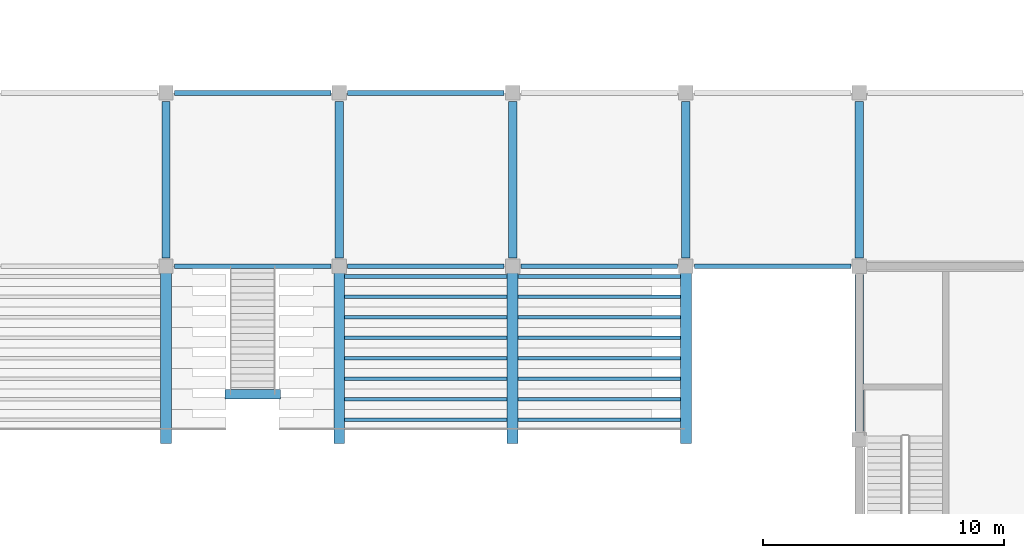
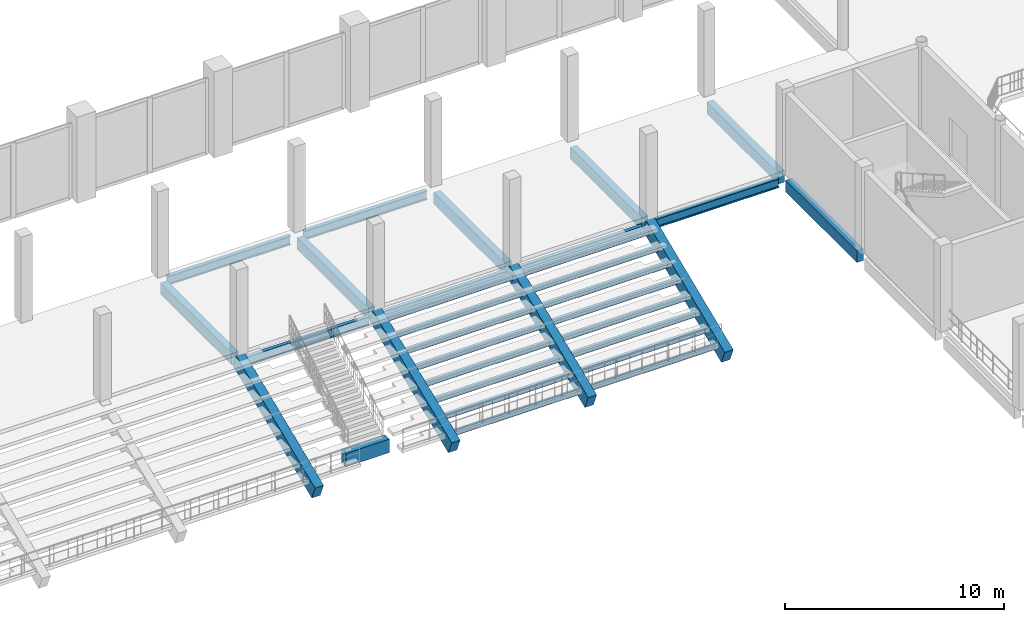
# One storey, part 33 of 99: 25 beams.
"""IFC4 building model written with IfcOpenShell, lengths in metres."""

from ifc_helpers import new_model, si_unit, direction, frame, origin, origin_2d, place, context, subcontext, project, spatial, rectangle, i_section, extrude, material, material_profile, profile_set, type_object, element, save


model = new_model("IFC4")

# Units and contexts
model_context = context("Model", 3, precision=1e-05, world=origin(), true_north=direction((0.0, 1.0)))
body_context = subcontext(model_context, "Body", "Model", "MODEL_VIEW")
ifc_project = project(units=[si_unit("LENGTHUNIT", "METRE"), si_unit("AREAUNIT", "SQUARE_METRE"), si_unit("VOLUMEUNIT", "CUBIC_METRE"), si_unit("PLANEANGLEUNIT", "RADIAN"), si_unit("MASSUNIT", "GRAM", prefix="KILO")], contexts=[model_context])

# Site, building, storey
site_placement = place(None, origin())
site = spatial("IfcSite", under=ifc_project, at=site_placement, CompositionType="ELEMENT")
building_placement = place(site_placement, origin())
building = spatial("IfcBuilding", under=site, at=building_placement, Name="Vesperath Aquatics Centre", CompositionType="ELEMENT")
storey_placement = place(building_placement, frame((0.0, 0.0, 5.39990234375)))
storey = spatial("IfcBuildingStorey", under=building, at=storey_placement, Name="L01", CompositionType="ELEMENT", Elevation=5.39990234375)

# Beams
ifc_material_1 = material(Name="Concrete C35", Category="concrete")
ifc_material_profile_1 = material_profile(ifc_material_1, rectangle(XDim=0.39990234375, YDim=0.75, at=origin_2d()), Name="RC 400x750")
ifc_profile_set_1 = profile_set([ifc_material_profile_1], Name="Concrete C35")
beam_type_1 = type_object("IfcBeamType", Name="BM-G04", PredefinedType="BEAM", material=ifc_profile_set_1)
beam_placement = place(storey_placement, frame((67.25, 66.679931640625, -3.574951171875), z_axis=(1.0, 0.0, 0.0), x_axis=(0.0, 1.0, 0.0)))
element("IfcBeam", 1, at=beam_placement, inside=storey, type_object=beam_type_1, Name="Vomitory VOM-06 Portal Bearer Beam B04", PredefinedType="BEAM", context=body_context, shape_type="SweptSolid", body=[
    extrude(rectangle(XDim=0.39990234375, YDim=0.75, at=origin_2d()), origin(), (0.0, 0.0, 1.0), 2.300048828125),
])
ifc_material_profile_2 = material_profile(ifc_material_1, rectangle(XDim=0.35009765625, YDim=0.64990234375, at=origin_2d()), Name="RC 350x650")
ifc_profile_set_2 = profile_set([ifc_material_profile_2], Name="Concrete C35")
beam_type_2 = type_object("IfcBeamType", Name="BM-G05", PredefinedType="BEAM", material=ifc_profile_set_2)
for number, where, z_axis, x_axis, name in (
    (2, (64.800048828125, 72.35009765625, -0.5849609375), (0.0, 1.0, 0.0), (-1.0, 0.0, 0.0), "Floor Girder B05 L01 10 L-M"),
    (3, (72.0, 72.35009765625, -0.5849609375), (0.0, 1.0, 0.0), (-1.0, 0.0, 0.0), "Floor Girder B05 L01 11 L-M"),
    (4, (79.199951171875, 72.35009765625, -0.5849609375), (0.0, 1.0, 0.0), (-1.0, 0.0, 0.0), "Floor Girder B05 L01 12 L-M"),
    (5, (86.39990234375, 72.35009765625, -0.5849609375), (0.0, 1.0, 0.0), (-1.0, 0.0, 0.0), "Floor Girder B05 L01 13 L-M"),
    (6, (93.60009765625, 65.14990234375, -0.5849609375), (0.0, 1.0, 0.0), (-1.0, 0.0, 0.0), "Floor Girder B05 L01 14 K-L"),
    (7, (93.60009765625, 72.35009765625, -0.5849609375), (0.0, 1.0, 0.0), (-1.0, 0.0, 0.0), "Floor Girder B05 L01 14 L-M"),
):
    element("IfcBeam", number, at=place(storey_placement, frame(where, z_axis=z_axis, x_axis=x_axis)), inside=storey, type_object=beam_type_2, Name=name, PredefinedType="BEAM", context=body_context, shape_type="SweptSolid", body=[
        extrude(rectangle(XDim=0.35009765625, YDim=0.64990234375, at=origin_2d()), origin(), (0.0, 0.0, 1.0), 6.5),
    ])
ifc_material_2 = material(Name="Steel Q355C", Category="steel")
ifc_material_profile_3 = material_profile(ifc_material_2, i_section(OverallWidth=0.14990234375, OverallDepth=0.300048828125, WebThickness=0.006591796875, FlangeThickness=0.009033203125, FilletRadius=0.012939453125, at=origin_2d()), Name="HN 300x150x6.5x9")
ifc_profile_set_3 = profile_set([ifc_material_profile_3], Name="Steel Q355C")
beam_type_3 = type_object("IfcBeamType", Name="BM-J06", PredefinedType="JOIST", material=ifc_profile_set_3)
for number, where, z_axis, x_axis, name in (
    (8, (72.0, 71.574951171875, -0.52978515625), (1.0, 0.0, 0.0), (0.0, 1.0, 0.0), "Lower Tier Bearer Beam J06 N-R1-B4M"),
    (9, (72.0, 70.72509765625, -0.929931640625), (1.0, 0.0, 0.0), (0.0, 1.0, 0.0), "Lower Tier Bearer Beam J06 N-R2-B4M"),
    (10, (72.0, 69.875, -1.329833984375), (1.0, 0.0, 0.0), (0.0, 1.0, 0.0), "Lower Tier Bearer Beam J06 N-R3-B4M"),
    (11, (72.0, 69.02490234375, -1.72998046875), (1.0, 0.0, 0.0), (0.0, 1.0, 0.0), "Lower Tier Bearer Beam J06 N-R4-B4M"),
    (12, (72.0, 68.175048828125, -2.1298828125), (1.0, 0.0, 0.0), (0.0, 1.0, 0.0), "Lower Tier Bearer Beam J06 N-R5-B4M"),
    (13, (72.0, 67.324951171875, -2.52978515625), (1.0, 0.0, 0.0), (0.0, 1.0, 0.0), "Lower Tier Bearer Beam J06 N-R6-B4M"),
    (14, (72.0, 66.47509765625, -2.929931640625), (1.0, 0.0, 0.0), (0.0, 1.0, 0.0), "Lower Tier Bearer Beam J06 N-R7-B4M"),
    (15, (72.0, 65.625, -3.329833984375), (1.0, 0.0, 0.0), (0.0, 1.0, 0.0), "Lower Tier Bearer Beam J06 N-R8-B4M"),
):
    element("IfcBeam", number, at=place(storey_placement, frame(where, z_axis=z_axis, x_axis=x_axis)), inside=storey, type_object=beam_type_3, Name=name, PredefinedType="JOIST", context=body_context, shape_type="SweptSolid", body=[
        extrude(i_section(OverallWidth=0.14990234375, OverallDepth=0.300048828125, WebThickness=0.006591796875, FlangeThickness=0.009033203125, FilletRadius=0.012939453125, at=origin_2d()), origin(), (0.0, 0.0, 1.0), 14.39990234375),
    ])
ifc_material_profile_4 = material_profile(ifc_material_1, rectangle(XDim=0.449951171875, YDim=0.800048828125, at=origin_2d()), Name="RC 450x800")
ifc_profile_set_4 = profile_set([ifc_material_profile_4], Name="Concrete C35")
beam_type_4 = type_object("IfcBeamType", Name="BM-RK01", PredefinedType="USERDEFINED", material=ifc_profile_set_4)
for number, where, z_axis, x_axis, name in (
    (16, (64.800048828125, 72.0, -0.449951171875), (0.0, -0.923075997031, -0.384617607118), (1.0, 0.0, 0.0), "Lower Stand RAKER Beam RK01 North 10"),
    (17, (72.0, 72.0, -0.449951171875), (0.0, -0.923075997031, -0.384617607118), (1.0, 0.0, 0.0), "Lower Stand RAKER Beam RK01 North 11"),
    (18, (79.199951171875, 72.0, -0.449951171875), (0.0, -0.923075997031, -0.384617607118), (1.0, 0.0, 0.0), "Lower Stand RAKER Beam RK01 North 12"),
    (19, (86.39990234375, 72.0, -0.449951171875), (0.0, -0.923075997031, -0.384617607118), (1.0, 0.0, 0.0), "Lower Stand RAKER Beam RK01 North 13"),
):
    element("IfcBeam", number, at=place(storey_placement, frame(where, z_axis=z_axis, x_axis=x_axis)), inside=storey, type_object=beam_type_4, Name=name, ObjectType="RAKER", PredefinedType="USERDEFINED", context=body_context, shape_type="SweptSolid", body=[
        extrude(rectangle(XDim=0.449951171875, YDim=0.800048828125, at=origin_2d()), origin(), (0.0, 0.0, 1.0), 7.800048828125),
    ])
ifc_material_3 = material(Name="Steel Q355D", Category="steel")
ifc_material_profile_5 = material_profile(ifc_material_3, i_section(OverallWidth=0.199951171875, OverallDepth=0.5, WebThickness=0.010009765625, FlangeThickness=0.01611328125, FilletRadius=0.02001953125, at=origin_2d()), Name="HN 500x200x10x16")
ifc_profile_set_5 = profile_set([ifc_material_profile_5], Name="Steel Q355D")
beam_type_5 = type_object("IfcBeamType", Name="BM-SP01", PredefinedType="SPANDREL", material=ifc_profile_set_5)
for number, where, z_axis, x_axis, name in (
    (20, (65.14990234375, 72.0, -0.635009765625), (1.0, 0.0, 0.0), (0.0, 1.0, 0.0), "Floor Girder SP01 L01 L 10-11"),
    (21, (65.14990234375, 79.199951171875, -0.510009765625), (1.0, 0.0, 0.0), (0.0, 1.0, 0.0), "Floor Girder SP01 L01 M 10-11"),
    (22, (72.35009765625, 72.0, -0.635009765625), (1.0, 0.0, 0.0), (0.0, 1.0, 0.0), "Floor Girder SP01 L01 L 11-12"),
    (23, (72.35009765625, 79.199951171875, -0.510009765625), (1.0, 0.0, 0.0), (0.0, 1.0, 0.0), "Floor Girder SP01 L01 M 11-12"),
    (24, (79.550048828125, 72.0, -0.635009765625), (1.0, 0.0, 0.0), (0.0, 1.0, 0.0), "Floor Girder SP01 L01 L 12-13"),
    (25, (86.75, 72.0, -0.510009765625), (1.0, 0.0, 0.0), (0.0, 1.0, 0.0), "Floor Girder SP01 L01 L 13-14"),
):
    element("IfcBeam", number, at=place(storey_placement, frame(where, z_axis=z_axis, x_axis=x_axis)), inside=storey, type_object=beam_type_5, Name=name, PredefinedType="SPANDREL", context=body_context, shape_type="SweptSolid", body=[
        extrude(i_section(OverallWidth=0.199951171875, OverallDepth=0.5, WebThickness=0.010009765625, FlangeThickness=0.01611328125, FilletRadius=0.02001953125, at=origin_2d()), origin(), (0.0, 0.0, 1.0), 6.5),
    ])

save(model, "model.ifc")
